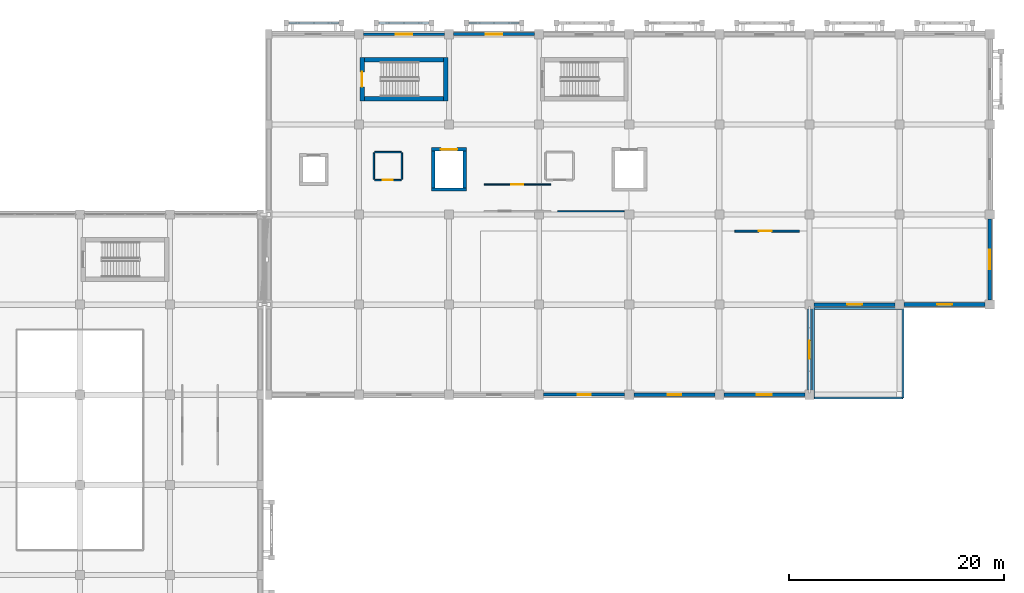
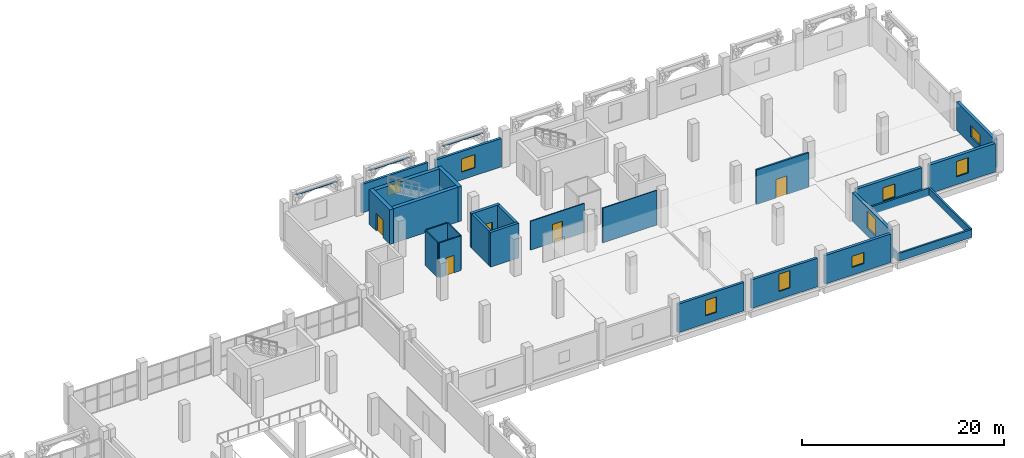
# One storey, part 118 of 137: 31 walls, 9 windows, 5 doors, 14 openings.
"""IFC4 building model written with IfcOpenShell, lengths in metres."""

import ifcopenshell
import ifcopenshell.guid

model = None  # the IFC model being written
_history = None  # IfcOwnerHistory: only IFC2X3 demands one
_inside = {}  # id of a spatial element -> (the spatial element, [elements in it])
_under = {}  # id of a project, library or spatial element -> (it, [spatial elements below it])
_declared = {}  # id of a project -> (the project, [libraries it declares])
_typed = {}  # id of a type object -> (the type object, [elements of that type])
_made_of = {}  # id of a material, layer set ... -> (it, [elements and type objects made of it])


def new_model(schema):
    """Start an empty IFC model of exactly this schema.

    Asked for "IFC4X3", IfcOpenShell would pick the latest addendum, in which some entities
    have other attributes; the version numbers below select the first issue.
    IFC2X3 requires an IfcOwnerHistory on every rooted entity: one is made here for all.
    """
    global model, _history
    if schema == "IFC4X3":
        model = ifcopenshell.file(schema_version=(4, 3, 0, 0))
    else:
        model = ifcopenshell.file(schema=schema)
    _inside.clear()
    _under.clear()
    _declared.clear()
    _typed.clear()
    _made_of.clear()
    _history = None
    if model.schema == "IFC2X3":
        org = make("IfcOrganization", Name="unknown")
        user = make(
            "IfcPersonAndOrganization",
            ThePerson=make("IfcPerson", FamilyName="unknown"),
            TheOrganization=org,
        )
        app = make(
            "IfcApplication",
            ApplicationDeveloper=org,
            Version="unknown",
            ApplicationFullName="unknown",
            ApplicationIdentifier="unknown",
        )
        _history = make(
            "IfcOwnerHistory",
            OwningUser=user,
            OwningApplication=app,
            ChangeAction="ADDED",
            CreationDate=0,
        )
    return model


def make(cls, **values):
    """One entity of the class cls with the attributes given. An attribute that is None is left unset."""
    return model.create_entity(
        cls, **{name: value for name, value in values.items() if value is not None}
    )


def rooted(cls, **values):
    """An entity with a GlobalId (a new one), such as an element, a storey or a relation."""
    return make(cls, GlobalId=ifcopenshell.guid.new(), OwnerHistory=_history, **values)


def si_unit(unit_type, name, prefix=None):
    """IfcSIUnit, for example si_unit("LENGTHUNIT", "METRE", prefix="MILLI")."""
    return make("IfcSIUnit", UnitType=unit_type, Prefix=prefix, Name=name)


def assignment(units):
    """IfcUnitAssignment: the units of a project."""
    return None if units is None else make("IfcUnitAssignment", Units=units)


def point(xyz):
    """IfcCartesianPoint."""
    return None if xyz is None else make("IfcCartesianPoint", Coordinates=xyz)


def direction(xyz):
    """IfcDirection."""
    return None if xyz is None else make("IfcDirection", DirectionRatios=xyz)


def frame(location, z_axis=None, x_axis=None):
    """IfcAxis2Placement3D, a coordinate frame: its origin and axes. An axis left out is left unset."""
    return make(
        "IfcAxis2Placement3D",
        Location=point(location),
        Axis=direction(z_axis),
        RefDirection=direction(x_axis),
    )


def frame_2d(location, x_axis=None):
    """IfcAxis2Placement2D, a coordinate frame in the plane: its origin and x axis."""
    return make(
        "IfcAxis2Placement2D", Location=point(location), RefDirection=direction(x_axis)
    )


def origin():
    """The frame at (0, 0, 0) with its axes left unset."""
    return frame((0.0, 0.0, 0.0))


def place(relative_to, where):
    """IfcLocalPlacement: puts the frame where relative to a parent placement (None: the world)."""
    return make(
        "IfcLocalPlacement", PlacementRelTo=relative_to, RelativePlacement=where
    )


def context(
    kind, dimensions, precision=None, world=None, true_north=None, identifier=None
):
    """IfcGeometricRepresentationContext, for example the 3D "Model" context."""
    return make(
        "IfcGeometricRepresentationContext",
        ContextIdentifier=identifier,
        ContextType=kind,
        CoordinateSpaceDimension=dimensions,
        Precision=precision,
        WorldCoordinateSystem=world,
        TrueNorth=true_north,
    )


def subcontext(parent, identifier, kind, view, scale=None):
    """IfcGeometricRepresentationSubContext, for example "Body" below "Model"."""
    return make(
        "IfcGeometricRepresentationSubContext",
        ContextIdentifier=identifier,
        ContextType=kind,
        ParentContext=parent,
        TargetScale=scale,
        TargetView=view,
    )


def project(units=None, contexts=None):
    """IfcProject with its units and contexts."""
    return rooted(
        "IfcProject",
        Name="project",
        RepresentationContexts=contexts,
        UnitsInContext=assignment(units),
    )


def spatial(cls, under=None, at=None, **own):
    """A site, building, storey or space (cls), placed at a placement, below another one or the project."""
    s = rooted(cls, ObjectPlacement=at, **own)
    if under is not None:
        _under.setdefault(under.id(), (under, []))[1].append(s)
    return s


def profile(cls, at=None, kind="AREA", **sizes):
    """A parametric profile (cls). Its sizes go by their IFC names, for example OverallWidth=200.0."""
    return make(cls, ProfileType=kind, Position=at, **sizes)


def rectangle(**sizes):
    """IfcRectangleProfileDef."""
    return profile("IfcRectangleProfileDef", **sizes)


def extrude(swept, where, along, depth):
    """IfcExtrudedAreaSolid: the profile swept, set in the frame where, extruded along a direction by depth."""
    return make(
        "IfcExtrudedAreaSolid",
        SweptArea=swept,
        Position=where,
        ExtrudedDirection=direction(along),
        Depth=depth,
    )


def shape(context_of_items, identifier, shape_type, items):
    """IfcShapeRepresentation: the items that make up one representation, for example the "Body"."""
    return make(
        "IfcShapeRepresentation",
        ContextOfItems=context_of_items,
        RepresentationIdentifier=identifier,
        RepresentationType=shape_type,
        Items=items,
    )


def material(Name=None, Category=None):
    """IfcMaterial."""
    return make("IfcMaterial", Name=Name, Category=Category)


def layer(
    of_material, thickness, ventilated=None, Name=None, Category=None, Priority=None
):
    """IfcMaterialLayer: one layer of a wall or slab, of a material (None: an air gap)."""
    return make(
        "IfcMaterialLayer",
        Material=of_material,
        LayerThickness=thickness,
        IsVentilated=ventilated,
        Name=Name,
        Category=Category,
        Priority=Priority,
    )


def layer_set(layers, Name=None):
    """IfcMaterialLayerSet."""
    return make("IfcMaterialLayerSet", MaterialLayers=layers, LayerSetName=Name)


def made_of(thing, what):
    """Note that an element or type object is made of a material, layer set ...; save() writes the relation."""
    if what is not None:
        _made_of.setdefault(what.id(), (what, []))[1].append(thing)
    return thing


def type_object(cls, material=None, **own):
    """A type object (cls), such as IfcWallType, which elements share."""
    return made_of(rooted(cls, **own), material)


def element(
    cls,
    number,
    at=None,
    inside=None,
    cuts=None,
    type_object=None,
    material=None,
    context=None,
    identifier="Body",
    shape_type=None,
    held_by="IfcProductDefinitionShape",
    body=None,
    shapes=None,
    **own,
):
    """One element of the class cls, such as IfcWall. Its Tag is "e" and its number.

    at: its placement. inside: the storey or other place that contains it. cuts: it is an
    opening in that element (IfcRelVoidsElement). A single representation is given by context,
    identifier, shape_type and body (its items); several are given by shapes. held_by: the class
    of the entity that holds the representations. save() writes the other relations.
    """
    e = rooted(cls, Tag="e%d" % number, ObjectPlacement=at, **own)
    if body is not None:
        shapes = [shape(context, identifier, shape_type, body)]
    if shapes is not None:
        e.Representation = make(held_by, Representations=shapes)
    if inside is not None:
        _inside.setdefault(inside.id(), (inside, []))[1].append(e)
    if cuts is not None:
        rooted(
            "IfcRelVoidsElement", RelatingBuildingElement=cuts, RelatedOpeningElement=e
        )
    if type_object is not None:
        _typed.setdefault(type_object.id(), (type_object, []))[1].append(e)
    return made_of(e, material)


def fill(opening, filler):
    """IfcRelFillsElement: the door or window that sits in an opening."""
    return rooted(
        "IfcRelFillsElement",
        RelatingOpeningElement=opening,
        RelatedBuildingElement=filler,
    )


def aggregate(whole, parts):
    """IfcRelAggregates: a whole, such as a stair, and the parts it consists of."""
    return rooted("IfcRelAggregates", RelatingObject=whole, RelatedObjects=parts)


def save(model, path):
    """Write the relations noted so far, then the file.

    IfcRelAggregates (storeys below a building ...), IfcRelContainedInSpatialStructure (elements
    in a storey), IfcRelDefinesByType, IfcRelAssociatesMaterial and IfcRelDeclares: one each for
    every whole, place, type object, material and project.
    """
    for whole, parts in _under.values():
        aggregate(whole, parts)
    for where, things in _inside.values():
        rooted(
            "IfcRelContainedInSpatialStructure",
            RelatedElements=things,
            RelatingStructure=where,
        )
    for kind, things in _typed.values():
        rooted("IfcRelDefinesByType", RelatedObjects=things, RelatingType=kind)
    for what, things in _made_of.values():
        rooted("IfcRelAssociatesMaterial", RelatedObjects=things, RelatingMaterial=what)
    for by, libraries in _declared.values():
        rooted("IfcRelDeclares", RelatingContext=by, RelatedDefinitions=libraries)
    model.write(path)


model = new_model("IFC4")

# Units and contexts
model_context = context("Model", 3, precision=1e-05, world=origin(), true_north=direction((0.0, 1.0)))
body_context = subcontext(model_context, "Body", "Model", "MODEL_VIEW")
ifc_project = project(units=[si_unit("LENGTHUNIT", "METRE"), si_unit("AREAUNIT", "SQUARE_METRE"), si_unit("VOLUMEUNIT", "CUBIC_METRE"), si_unit("PLANEANGLEUNIT", "RADIAN"), si_unit("MASSUNIT", "GRAM", prefix="KILO")], contexts=[model_context])

# Site, building, storey
site_placement = place(None, origin())
site = spatial("IfcSite", under=ifc_project, at=site_placement, CompositionType="ELEMENT")
building_placement = place(site_placement, origin())
building = spatial("IfcBuilding", under=site, at=building_placement, Name="Xazarin Passage Department Store", CompositionType="ELEMENT")
storey_placement = place(building_placement, frame((0.0, 0.0, 5.39990234375)))
storey = spatial("IfcBuildingStorey", under=building, at=storey_placement, Name="L01", CompositionType="ELEMENT", Elevation=5.39990234375)

# Wall, opening, door
ifc_material_1 = material(Name="Buff Baku clay brick", Category="masonry")
ifc_layer_1 = layer(ifc_material_1, 0.18505859375)
ifc_layer_set_1 = layer_set([ifc_layer_1], Name="Buff Baku clay brick")
wall_type_1 = type_object("IfcWallType", Name="ARC-W-CMP185", PredefinedType="PARTITIONING", material=ifc_layer_set_1)
wall_1_placement = place(storey_placement, frame((145.85009765625, 91.64990234375, 0.0), z_axis=(0.0, 0.0, 1.0), x_axis=(1.0, 0.0, 0.0)))
wall_1 = element("IfcWall", 1, at=wall_1_placement, inside=storey, type_object=wall_type_1, Name="L01 Electrical Room Front Wall 0138", PredefinedType="PARTITIONING", context=body_context, shape_type="SweptSolid", body=[
    extrude(rectangle(XDim=6.0, YDim=0.18505859375, at=frame_2d((3.0, 0.0))), origin(), (0.0, 0.0, 1.0), 4.2001953125),
])
opening_1_placement = place(wall_1_placement, frame((2.199951171875, 0.0, 0.0)))
opening_1 = element("IfcOpeningElement", 2, at=opening_1_placement, cuts=wall_1, Name="Opening FD9", PredefinedType="OPENING", context=body_context, shape_type="SweptSolid", body=[
    extrude(rectangle(XDim=1.25, YDim=2.25, at=frame_2d((0.625, 1.125))), frame((0.0, 0.1025390625, 0.0), z_axis=(0.0, -1.0, 0.0), x_axis=(1.0, 0.0, 0.0)), (0.0, 0.0, 1.0), 0.205078125),
])
ifc_material_2 = material(Name="Steel S355", Category="steel")
door_type_1 = type_object("IfcDoorType", Name="ARC-DR-PLT125", OperationType="NOTDEFINED", PredefinedType="DOOR", material=ifc_material_2)
door_1_placement = place(opening_1_placement, origin())
door_1 = element("IfcDoor", 3, at=door_1_placement, inside=storey, type_object=door_type_1, Name="DR-INT-L01-0138", OperationType="SINGLE_SWING_LEFT", OverallHeight=2.25, OverallWidth=1.25, PredefinedType="DOOR", context=body_context, shape_type="SweptSolid", body=[
    extrude(rectangle(XDim=1.25, YDim=2.25, at=frame_2d((0.625, 1.125))), frame((0.0, 0.02490234375, 0.0), z_axis=(0.0, -1.0, 0.0), x_axis=(1.0, 0.0, 0.0)), (0.0, 0.0, 1.0), 0.050048828125),
])
fill(opening_1, door_1)

# Wall, opening, window
ifc_material_3 = material(Name="Precast concrete C40/50", Category="concrete")
ifc_layer_2 = layer(ifc_material_3, 0.260009765625)
ifc_layer_set_2 = layer_set([ifc_layer_2], Name="Precast concrete C40/50")
wall_type_2 = type_object("IfcWallType", Name="ARC-W-EXT260", PredefinedType="SOLIDWALL", material=ifc_layer_set_2)
wall_2_placement = place(storey_placement, frame((111.22509765625, 110.0, 0.0), z_axis=(0.0, 0.0, 1.0), x_axis=(1.0, 0.0, 0.0)))
wall_2 = element("IfcWall", 4, at=wall_2_placement, inside=storey, type_object=wall_type_2, Name="L01 V4 Exterior Wall 280", PredefinedType="SOLIDWALL", context=body_context, shape_type="SweptSolid", body=[
    extrude(rectangle(XDim=7.5498046875, YDim=0.260009765625, at=frame_2d((3.77490234375, 0.0))), origin(), (0.0, 0.0, 1.0), 3.4501953125),
])
opening_2_placement = place(wall_2_placement, frame((3.0, 0.0, 0.949951171875)))
opening_2 = element("IfcOpeningElement", 5, at=opening_2_placement, cuts=wall_2, Name="Opening W17", PredefinedType="OPENING", context=body_context, shape_type="SweptSolid", body=[
    extrude(rectangle(XDim=1.550048828125, YDim=1.35009765625, at=frame_2d((0.77490234375, 0.675048828125))), frame((0.0, 0.139892578125, 0.0), z_axis=(0.0, -1.0, 0.0), x_axis=(1.0, 0.0, 0.0)), (0.0, 0.0, 1.0), 0.280029296875),
])
ifc_material_4 = material(Name="Low-E laminated safety glass", Category="glass")
window_type_1 = type_object("IfcWindowType", Name="ARC-WIN-W17", PartitioningType="SINGLE_PANEL", PredefinedType="WINDOW", material=ifc_material_4)
window_1_placement = place(opening_2_placement, origin())
window_1 = element("IfcWindow", 6, at=window_1_placement, inside=storey, type_object=window_type_1, Name="L01 V4 Facade Window 0065", OverallHeight=1.35009765625, OverallWidth=1.550048828125, PartitioningType="SINGLE_PANEL", PredefinedType="WINDOW", context=body_context, shape_type="SweptSolid", body=[
    extrude(rectangle(XDim=1.550048828125, YDim=1.35009765625, at=frame_2d((0.77490234375, 0.675048828125))), frame((0.0, 0.030029296875, 0.0), z_axis=(0.0, -1.0, 0.0), x_axis=(1.0, 0.0, 0.0)), (0.0, 0.0, 1.0), 0.06005859375),
])
fill(opening_2, window_1)

ifc_layer_3 = layer(ifc_material_3, 0.280029296875)
ifc_layer_set_3 = layer_set([ifc_layer_3], Name="Precast concrete C40/50")
wall_type_3 = type_object("IfcWallType", Name="ARC-W-EXT280", PredefinedType="SOLIDWALL", material=ifc_layer_set_3)
wall_3_placement = place(storey_placement, frame((128.02490234375, 76.39990234375, 0.0), z_axis=(0.0, 0.0, 1.0), x_axis=(1.0, 0.0, 0.0)))
wall_3 = element("IfcWall", 7, at=wall_3_placement, inside=storey, type_object=wall_type_3, Name="L01 V4 Exterior Wall 274", PredefinedType="SOLIDWALL", context=body_context, shape_type="SweptSolid", body=[
    extrude(rectangle(XDim=7.550048828125, YDim=0.280029296875, at=frame_2d((3.77490234375, 0.0))), origin(), (0.0, 0.0, 1.0), 3.4501953125),
])
opening_3_placement = place(wall_3_placement, frame((3.14990234375, 0.0, 0.949951171875)))
opening_3 = element("IfcOpeningElement", 8, at=opening_3_placement, cuts=wall_3, Name="Opening W11", PredefinedType="OPENING", context=body_context, shape_type="SweptSolid", body=[
    extrude(rectangle(XDim=1.25, YDim=1.85009765625, at=frame_2d((0.625, 0.925048828125))), frame((0.0, 0.14990234375, 0.0), z_axis=(0.0, -1.0, 0.0), x_axis=(1.0, 0.0, 0.0)), (0.0, 0.0, 1.0), 0.300048828125),
])
window_type_2 = type_object("IfcWindowType", Name="ARC-WIN-W11", PartitioningType="SINGLE_PANEL", PredefinedType="WINDOW", material=ifc_material_4)
window_2_placement = place(opening_3_placement, origin())
window_2 = element("IfcWindow", 9, at=window_2_placement, inside=storey, type_object=window_type_2, Name="L01 V4 Facade Window 0059", OverallHeight=1.85009765625, OverallWidth=1.25, PartitioningType="SINGLE_PANEL", PredefinedType="WINDOW", context=body_context, shape_type="SweptSolid", body=[
    extrude(rectangle(XDim=1.25, YDim=1.85009765625, at=frame_2d((0.625, 0.925048828125))), frame((0.0, 0.030029296875, 0.0), z_axis=(0.0, -1.0, 0.0), x_axis=(1.0, 0.0, 0.0)), (0.0, 0.0, 1.0), 0.06005859375),
])
fill(opening_3, window_2)

wall_4_placement = place(storey_placement, frame((119.625, 110.0, 0.0), z_axis=(0.0, 0.0, 1.0), x_axis=(1.0, 0.0, 0.0)))
wall_4 = element("IfcWall", 10, at=wall_4_placement, inside=storey, type_object=wall_type_3, Name="L01 V4 Exterior Wall 281", PredefinedType="SOLIDWALL", context=body_context, shape_type="SweptSolid", body=[
    extrude(rectangle(XDim=7.550048828125, YDim=0.280029296875, at=frame_2d((3.77490234375, 0.0))), origin(), (0.0, 0.0, 1.0), 3.4501953125),
])
opening_4_placement = place(wall_4_placement, frame((3.0, 0.0, 0.949951171875)))
opening_4 = element("IfcOpeningElement", 11, at=opening_4_placement, cuts=wall_4, Name="Opening W18", PredefinedType="OPENING", context=body_context, shape_type="SweptSolid", body=[
    extrude(rectangle(XDim=1.550048828125, YDim=1.60009765625, at=frame_2d((0.77490234375, 0.800048828125))), frame((0.0, 0.14990234375, 0.0), z_axis=(0.0, -1.0, 0.0), x_axis=(1.0, 0.0, 0.0)), (0.0, 0.0, 1.0), 0.300048828125),
])
window_type_3 = type_object("IfcWindowType", Name="ARC-WIN-W18", PartitioningType="SINGLE_PANEL", PredefinedType="WINDOW", material=ifc_material_4)
window_3_placement = place(opening_4_placement, origin())
window_3 = element("IfcWindow", 12, at=window_3_placement, inside=storey, type_object=window_type_3, Name="L01 V4 Facade Window 0066", OverallHeight=1.60009765625, OverallWidth=1.550048828125, PartitioningType="SINGLE_PANEL", PredefinedType="WINDOW", context=body_context, shape_type="SweptSolid", body=[
    extrude(rectangle(XDim=1.550048828125, YDim=1.60009765625, at=frame_2d((0.77490234375, 0.800048828125))), frame((0.0, 0.030029296875, 0.0), z_axis=(0.0, -1.0, 0.0), x_axis=(1.0, 0.0, 0.0)), (0.0, 0.0, 1.0), 0.06005859375),
])
fill(opening_4, window_3)

ifc_layer_4 = layer(ifc_material_3, 0.300048828125)
ifc_layer_set_4 = layer_set([ifc_layer_4], Name="Precast concrete C40/50")
wall_type_4 = type_object("IfcWallType", Name="ARC-W-EXT300", PredefinedType="SOLIDWALL", material=ifc_layer_set_4)
wall_5_placement = place(storey_placement, frame((136.425048828125, 76.39990234375, 0.0), z_axis=(0.0, 0.0, 1.0), x_axis=(1.0, 0.0, 0.0)))
wall_5 = element("IfcWall", 13, at=wall_5_placement, inside=storey, type_object=wall_type_4, Name="L01 V4 Exterior Wall 275", PredefinedType="SOLIDWALL", context=body_context, shape_type="SweptSolid", body=[
    extrude(rectangle(XDim=7.550048828125, YDim=0.300048828125, at=frame_2d((3.77490234375, 0.0))), origin(), (0.0, 0.0, 1.0), 3.4501953125),
])
opening_5_placement = place(wall_5_placement, frame((3.14990234375, 0.0, 0.949951171875)))
opening_5 = element("IfcOpeningElement", 14, at=opening_5_placement, cuts=wall_5, Name="Opening W12", PredefinedType="OPENING", context=body_context, shape_type="SweptSolid", body=[
    extrude(rectangle(XDim=1.25, YDim=2.10009765625, at=frame_2d((0.625, 1.050048828125))), frame((0.0, 0.159912109375, 0.0), z_axis=(0.0, -1.0, 0.0), x_axis=(1.0, 0.0, 0.0)), (0.0, 0.0, 1.0), 0.320068359375),
])
window_type_4 = type_object("IfcWindowType", Name="ARC-WIN-W12", PartitioningType="SINGLE_PANEL", PredefinedType="WINDOW", material=ifc_material_4)
window_4_placement = place(opening_5_placement, origin())
window_4 = element("IfcWindow", 15, at=window_4_placement, inside=storey, type_object=window_type_4, Name="L01 V4 Facade Window 0060", OverallHeight=2.10009765625, OverallWidth=1.25, PartitioningType="SINGLE_PANEL", PredefinedType="WINDOW", context=body_context, shape_type="SweptSolid", body=[
    extrude(rectangle(XDim=1.25, YDim=2.10009765625, at=frame_2d((0.625, 1.050048828125))), frame((0.0, 0.030029296875, 0.0), z_axis=(0.0, -1.0, 0.0), x_axis=(1.0, 0.0, 0.0)), (0.0, 0.0, 1.0), 0.06005859375),
])
fill(opening_5, window_4)

ifc_layer_5 = layer(ifc_material_1, 0.320068359375)
ifc_layer_set_5 = layer_set([ifc_layer_5], Name="Buff Baku clay brick")
wall_type_5 = type_object("IfcWallType", Name="ARC-W-EXT320", PredefinedType="SOLIDWALL", material=ifc_layer_set_5)
wall_6_placement = place(storey_placement, frame((144.824951171875, 76.39990234375, 0.0), z_axis=(0.0, 0.0, 1.0), x_axis=(1.0, 0.0, 0.0)))
wall_6 = element("IfcWall", 16, at=wall_6_placement, inside=storey, type_object=wall_type_5, Name="L01 V4 Exterior Wall 276", PredefinedType="SOLIDWALL", context=body_context, shape_type="SweptSolid", body=[
    extrude(rectangle(XDim=7.550048828125, YDim=0.320068359375, at=frame_2d((3.77490234375, 0.0))), origin(), (0.0, 0.0, 1.0), 3.4501953125),
])
opening_6_placement = place(wall_6_placement, frame((3.074951171875, 0.0, 0.949951171875)))
opening_6 = element("IfcOpeningElement", 17, at=opening_6_placement, cuts=wall_6, Name="Opening W13", PredefinedType="OPENING", context=body_context, shape_type="SweptSolid", body=[
    extrude(rectangle(XDim=1.39990234375, YDim=1.35009765625, at=frame_2d((0.699951171875, 0.675048828125))), frame((0.0, 0.169921875, 0.0), z_axis=(0.0, -1.0, 0.0), x_axis=(1.0, 0.0, 0.0)), (0.0, 0.0, 1.0), 0.340087890625),
])
window_type_5 = type_object("IfcWindowType", Name="ARC-WIN-W13", PartitioningType="SINGLE_PANEL", PredefinedType="WINDOW", material=ifc_material_4)
window_5_placement = place(opening_6_placement, origin())
window_5 = element("IfcWindow", 18, at=window_5_placement, inside=storey, type_object=window_type_5, Name="L01 V4 Facade Window 0061", OverallHeight=1.35009765625, OverallWidth=1.39990234375, PartitioningType="SINGLE_PANEL", PredefinedType="WINDOW", context=body_context, shape_type="SweptSolid", body=[
    extrude(rectangle(XDim=1.39990234375, YDim=1.35009765625, at=frame_2d((0.699951171875, 0.675048828125))), frame((0.0, 0.030029296875, 0.0), z_axis=(0.0, -1.0, 0.0), x_axis=(1.0, 0.0, 0.0)), (0.0, 0.0, 1.0), 0.06005859375),
])
fill(opening_6, window_5)

ifc_material_5 = material(Name="Absheron limestone cladding", Category="masonry")
ifc_layer_6 = layer(ifc_material_5, 0.340087890625)
ifc_layer_set_6 = layer_set([ifc_layer_6], Name="Absheron limestone cladding")
wall_type_6 = type_object("IfcWallType", Name="ARC-W-EXT340", PredefinedType="SOLIDWALL", material=ifc_layer_set_6)
wall_7_placement = place(storey_placement, frame((153.22509765625, 84.800048828125, 0.0), z_axis=(0.0, 0.0, 1.0), x_axis=(1.0, 0.0, 0.0)))
wall_7 = element("IfcWall", 19, at=wall_7_placement, inside=storey, type_object=wall_type_6, Name="L01 V4 Exterior Wall 277", PredefinedType="SOLIDWALL", context=body_context, shape_type="SweptSolid", body=[
    extrude(rectangle(XDim=7.5498046875, YDim=0.340087890625, at=frame_2d((3.77490234375, 0.0))), origin(), (0.0, 0.0, 1.0), 3.4501953125),
])
opening_7_placement = place(wall_7_placement, frame((3.074951171875, 0.0, 0.949951171875)))
opening_7 = element("IfcOpeningElement", 20, at=opening_7_placement, cuts=wall_7, Name="Opening W14", PredefinedType="OPENING", context=body_context, shape_type="SweptSolid", body=[
    extrude(rectangle(XDim=1.39990234375, YDim=1.60009765625, at=frame_2d((0.699951171875, 0.800048828125))), frame((0.0, 0.179931640625, 0.0), z_axis=(0.0, -1.0, 0.0), x_axis=(1.0, 0.0, 0.0)), (0.0, 0.0, 1.0), 0.360107421875),
])
window_type_6 = type_object("IfcWindowType", Name="ARC-WIN-W14", PartitioningType="SINGLE_PANEL", PredefinedType="WINDOW", material=ifc_material_4)
window_6_placement = place(opening_7_placement, origin())
window_6 = element("IfcWindow", 21, at=window_6_placement, inside=storey, type_object=window_type_6, Name="L01 V4 Facade Window 0062", OverallHeight=1.60009765625, OverallWidth=1.39990234375, PartitioningType="SINGLE_PANEL", PredefinedType="WINDOW", context=body_context, shape_type="SweptSolid", body=[
    extrude(rectangle(XDim=1.39990234375, YDim=1.60009765625, at=frame_2d((0.699951171875, 0.800048828125))), frame((0.0, 0.030029296875, 0.0), z_axis=(0.0, -1.0, 0.0), x_axis=(1.0, 0.0, 0.0)), (0.0, 0.0, 1.0), 0.06005859375),
])
fill(opening_7, window_6)

wall_8_placement = place(storey_placement, frame((152.800048828125, 76.824951171875, 0.0), z_axis=(0.0, 0.0, 1.0), x_axis=(0.0, 1.0, 0.0)))
wall_8 = element("IfcWall", 22, at=wall_8_placement, inside=storey, type_object=wall_type_6, Name="L01 V4 Exterior Wall 291", PredefinedType="SOLIDWALL", context=body_context, shape_type="SweptSolid", body=[
    extrude(rectangle(XDim=7.550048828125, YDim=0.340087890625, at=frame_2d((3.77490234375, 0.0))), origin(), (0.0, 0.0, 1.0), 3.4501953125),
])
opening_8_placement = place(wall_8_placement, frame((2.925048828125, 0.0, 0.949951171875)))
opening_8 = element("IfcOpeningElement", 23, at=opening_8_placement, cuts=wall_8, Name="Opening W24", PredefinedType="OPENING", context=body_context, shape_type="SweptSolid", body=[
    extrude(rectangle(XDim=1.699951171875, YDim=2.10009765625, at=frame_2d((0.85009765625, 1.050048828125))), frame((0.0, 0.179931640625, 0.0), z_axis=(0.0, -1.0, 0.0), x_axis=(1.0, 0.0, 0.0)), (0.0, 0.0, 1.0), 0.360107421875),
])
window_type_7 = type_object("IfcWindowType", Name="ARC-WIN-W24", PartitioningType="DOUBLE_PANEL_VERTICAL", PredefinedType="WINDOW", material=ifc_material_4)
window_7_placement = place(opening_8_placement, origin())
window_7 = element("IfcWindow", 24, at=window_7_placement, inside=storey, type_object=window_type_7, Name="L01 V4 Facade Window 0072", OverallHeight=2.10009765625, OverallWidth=1.699951171875, PartitioningType="DOUBLE_PANEL_VERTICAL", PredefinedType="WINDOW", context=body_context, shape_type="SweptSolid", body=[
    extrude(rectangle(XDim=1.699951171875, YDim=2.10009765625, at=frame_2d((0.85009765625, 1.050048828125))), frame((0.0, 0.030029296875, 0.0), z_axis=(0.0, -1.0, 0.0), x_axis=(1.0, 0.0, 0.0)), (0.0, 0.0, 1.0), 0.06005859375),
])
fill(opening_8, window_7)

ifc_layer_7 = layer(ifc_material_5, 0.360107421875)
ifc_layer_set_7 = layer_set([ifc_layer_7], Name="Absheron limestone cladding")
wall_type_7 = type_object("IfcWallType", Name="ARC-W-EXT360", PredefinedType="SOLIDWALL", material=ifc_layer_set_7)
wall_9_placement = place(storey_placement, frame((161.625, 84.800048828125, 0.0), z_axis=(0.0, 0.0, 1.0), x_axis=(1.0, 0.0, 0.0)))
wall_9 = element("IfcWall", 25, at=wall_9_placement, inside=storey, type_object=wall_type_7, Name="L01 V4 Exterior Wall 278", PredefinedType="SOLIDWALL", context=body_context, shape_type="SweptSolid", body=[
    extrude(rectangle(XDim=7.550048828125, YDim=0.360107421875, at=frame_2d((3.77490234375, 0.0))), origin(), (0.0, 0.0, 1.0), 3.4501953125),
])
opening_9_placement = place(wall_9_placement, frame((3.074951171875, 0.0, 0.949951171875)))
opening_9 = element("IfcOpeningElement", 26, at=opening_9_placement, cuts=wall_9, Name="Opening W15", PredefinedType="OPENING", context=body_context, shape_type="SweptSolid", body=[
    extrude(rectangle(XDim=1.39990234375, YDim=1.85009765625, at=frame_2d((0.699951171875, 0.925048828125))), frame((0.0, 0.18994140625, 0.0), z_axis=(0.0, -1.0, 0.0), x_axis=(1.0, 0.0, 0.0)), (0.0, 0.0, 1.0), 0.380126953125),
])
window_type_8 = type_object("IfcWindowType", Name="ARC-WIN-W15", PartitioningType="SINGLE_PANEL", PredefinedType="WINDOW", material=ifc_material_4)
window_8_placement = place(opening_9_placement, origin())
window_8 = element("IfcWindow", 27, at=window_8_placement, inside=storey, type_object=window_type_8, Name="L01 V4 Facade Window 0063", OverallHeight=1.85009765625, OverallWidth=1.39990234375, PartitioningType="SINGLE_PANEL", PredefinedType="WINDOW", context=body_context, shape_type="SweptSolid", body=[
    extrude(rectangle(XDim=1.39990234375, YDim=1.85009765625, at=frame_2d((0.699951171875, 0.925048828125))), frame((0.0, 0.030029296875, 0.0), z_axis=(0.0, -1.0, 0.0), x_axis=(1.0, 0.0, 0.0)), (0.0, 0.0, 1.0), 0.06005859375),
])
fill(opening_9, window_8)

wall_10_placement = place(storey_placement, frame((169.60009765625, 85.22509765625, 0.0), z_axis=(0.0, 0.0, 1.0), x_axis=(0.0, 1.0, 0.0)))
wall_10 = element("IfcWall", 28, at=wall_10_placement, inside=storey, type_object=wall_type_7, Name="L01 V4 Exterior Wall 292", PredefinedType="SOLIDWALL", context=body_context, shape_type="SweptSolid", body=[
    extrude(rectangle(XDim=7.5498046875, YDim=0.360107421875, at=frame_2d((3.77490234375, 0.0))), origin(), (0.0, 0.0, 1.0), 3.4501953125),
])
opening_10_placement = place(wall_10_placement, frame((2.85009765625, 0.0, 0.949951171875)))
opening_10 = element("IfcOpeningElement", 29, at=opening_10_placement, cuts=wall_10, Name="Opening W25", PredefinedType="OPENING", context=body_context, shape_type="SweptSolid", body=[
    extrude(rectangle(XDim=1.85009765625, YDim=1.35009765625, at=frame_2d((0.925048828125, 0.675048828125))), frame((0.0, 0.18994140625, 0.0), z_axis=(0.0, -1.0, 0.0), x_axis=(1.0, 0.0, 0.0)), (0.0, 0.0, 1.0), 0.380126953125),
])
window_type_9 = type_object("IfcWindowType", Name="ARC-WIN-W25", PartitioningType="DOUBLE_PANEL_VERTICAL", PredefinedType="WINDOW", material=ifc_material_4)
window_9_placement = place(opening_10_placement, origin())
window_9 = element("IfcWindow", 30, at=window_9_placement, inside=storey, type_object=window_type_9, Name="L01 V4 Facade Window 0073", OverallHeight=1.35009765625, OverallWidth=1.85009765625, PartitioningType="DOUBLE_PANEL_VERTICAL", PredefinedType="WINDOW", context=body_context, shape_type="SweptSolid", body=[
    extrude(rectangle(XDim=1.85009765625, YDim=1.35009765625, at=frame_2d((0.925048828125, 0.675048828125))), frame((0.0, 0.030029296875, 0.0), z_axis=(0.0, -1.0, 0.0), x_axis=(1.0, 0.0, 0.0)), (0.0, 0.0, 1.0), 0.06005859375),
])
fill(opening_10, window_9)

# Walls
ifc_layer_8 = layer(ifc_material_3, 0.2099609375)
ifc_layer_set_8 = layer_set([ifc_layer_8], Name="Precast concrete C40/50")
wall_type_8 = type_object("IfcWallType", Name="ARC-W-PAR210", PredefinedType="PARAPET", material=ifc_layer_set_8)
wall_11_placement = place(storey_placement, frame((104.27001953125, 111.050048828125, 3.880126953125), z_axis=(0.0, 0.0, 1.0), x_axis=(1.0, 0.0, 0.0)))
element("IfcWall", 31, at=wall_11_placement, inside=storey, type_object=wall_type_8, Name="L01 V4 Pierced-Arch Spandrel Lintel 0146", PredefinedType="PARAPET", context=body_context, shape_type="SweptSolid", body=[
    extrude(rectangle(XDim=4.659912109375, YDim=0.2099609375, at=frame_2d((2.330078125, 0.0))), origin(), (0.0, 0.0, 1.0), 0.119873046875),
])
wall_12_placement = place(storey_placement, frame((112.669921875, 111.050048828125, 3.880126953125), z_axis=(0.0, 0.0, 1.0), x_axis=(1.0, 0.0, 0.0)))
element("IfcWall", 32, at=wall_12_placement, inside=storey, type_object=wall_type_8, Name="L01 V4 Pierced-Arch Spandrel Lintel 0150", PredefinedType="PARAPET", context=body_context, shape_type="SweptSolid", body=[
    extrude(rectangle(XDim=4.66015625, YDim=0.2099609375, at=frame_2d((2.330078125, 0.0))), origin(), (0.0, 0.0, 1.0), 0.119873046875),
])
wall_13_placement = place(storey_placement, frame((121.070068359375, 111.050048828125, 3.880126953125), z_axis=(0.0, 0.0, 1.0), x_axis=(1.0, 0.0, 0.0)))
element("IfcWall", 33, at=wall_13_placement, inside=storey, type_object=wall_type_8, Name="L01 V4 Pierced-Arch Spandrel Lintel 0154", PredefinedType="PARAPET", context=body_context, shape_type="SweptSolid", body=[
    extrude(rectangle(XDim=4.659912109375, YDim=0.2099609375, at=frame_2d((2.330078125, 0.0))), origin(), (0.0, 0.0, 1.0), 0.119873046875),
])
wall_14_placement = place(storey_placement, frame((161.5, 84.449951171875, 0.0), z_axis=(0.0, 0.0, 1.0), x_axis=(-1.0, 0.0, 0.0)))
element("IfcWall", 34, at=wall_14_placement, inside=storey, type_object=wall_type_8, Name="L01 Roof Parapet 035", PredefinedType="PARAPET", context=body_context, shape_type="SweptSolid", body=[
    extrude(rectangle(XDim=8.35009765625, YDim=0.2099609375, at=frame_2d((4.175048828125, 0.0))), origin(), (0.0, 0.0, 1.0), 0.9501953125),
])
wall_15_placement = place(storey_placement, frame((153.14990234375, 84.449951171875, 0.0), z_axis=(0.0, 0.0, 1.0), x_axis=(0.0, -1.0, 0.0)))
element("IfcWall", 35, at=wall_15_placement, inside=storey, type_object=wall_type_8, Name="L01 Roof Parapet 036", PredefinedType="PARAPET", context=body_context, shape_type="SweptSolid", body=[
    extrude(rectangle(XDim=8.349853515625, YDim=0.2099609375, at=frame_2d((4.1748046875, 0.0))), origin(), (0.0, 0.0, 1.0), 0.9501953125),
])
wall_16_placement = place(storey_placement, frame((153.14990234375, 76.10009765625, 0.0), z_axis=(0.0, 0.0, 1.0), x_axis=(1.0, 0.0, 0.0)))
element("IfcWall", 36, at=wall_16_placement, inside=storey, type_object=wall_type_8, Name="L01 Roof Parapet 037", PredefinedType="PARAPET", context=body_context, shape_type="SweptSolid", body=[
    extrude(rectangle(XDim=8.35009765625, YDim=0.2099609375, at=frame_2d((4.175048828125, 0.0))), origin(), (0.0, 0.0, 1.0), 0.9501953125),
])
wall_17_placement = place(storey_placement, frame((161.5, 76.10009765625, 0.0), z_axis=(0.0, 0.0, 1.0), x_axis=(0.0, 1.0, 0.0)))
element("IfcWall", 37, at=wall_17_placement, inside=storey, type_object=wall_type_8, Name="L01 Roof Parapet 038", PredefinedType="PARAPET", context=body_context, shape_type="SweptSolid", body=[
    extrude(rectangle(XDim=8.349853515625, YDim=0.2099609375, at=frame_2d((4.1748046875, 0.0))), origin(), (0.0, 0.0, 1.0), 0.9501953125),
])
ifc_material_6 = material(Name="Gypsum board acoustic partition")
ifc_layer_9 = layer(ifc_material_6, 0.110107421875)
ifc_layer_set_9 = layer_set([ifc_layer_9], Name="Gypsum board acoustic partition")
wall_type_9 = type_object("IfcWallType", Name="ARC-W-PRT110", PredefinedType="PARTITIONING", material=ifc_layer_set_9)
wall_18_placement = place(storey_placement, frame((129.320068359375, 93.5, 0.0), z_axis=(0.0, 0.0, 1.0), x_axis=(1.0, 0.0, 0.0)))
element("IfcWall", 38, at=wall_18_placement, inside=storey, type_object=wall_type_9, Name="L01 Packaging and Dispatch Room Front Wall 0137", PredefinedType="PARTITIONING", context=body_context, shape_type="SweptSolid", body=[
    extrude(rectangle(XDim=6.2099609375, YDim=0.110107421875, at=frame_2d((3.10498046875, 0.0))), origin(), (0.0, 0.0, 1.0), 4.2001953125),
])

# Wall, opening, door
ifc_layer_10 = layer(ifc_material_6, 0.125)
ifc_layer_set_10 = layer_set([ifc_layer_10], Name="Gypsum board acoustic partition")
wall_type_10 = type_object("IfcWallType", Name="ARC-W-PRT125", PredefinedType="PARTITIONING", material=ifc_layer_set_10)
wall_19_placement = place(storey_placement, frame((122.469970703125, 96.0, 0.0), z_axis=(0.0, 0.0, 1.0), x_axis=(1.0, 0.0, 0.0)))
wall_19 = element("IfcWall", 39, at=wall_19_placement, inside=storey, type_object=wall_type_10, Name="L01 Packaging and Dispatch Room Front Wall 0135", PredefinedType="PARTITIONING", context=body_context, shape_type="SweptSolid", body=[
    extrude(rectangle(XDim=6.2099609375, YDim=0.125, at=frame_2d((3.10498046875, 0.0))), origin(), (0.0, 0.0, 1.0), 3.5),
])
opening_11_placement = place(wall_19_placement, frame((2.544921875, 0.0, 0.0)))
opening_11 = element("IfcOpeningElement", 40, at=opening_11_placement, cuts=wall_19, Name="Opening ID20", PredefinedType="OPENING", context=body_context, shape_type="SweptSolid", body=[
    extrude(rectangle(XDim=1.1201171875, YDim=2.219970703125, at=frame_2d((0.56005859375, 1.10986328125))), frame((0.0, 0.072509765625, 0.0), z_axis=(0.0, -1.0, 0.0), x_axis=(1.0, 0.0, 0.0)), (0.0, 0.0, 1.0), 0.14501953125),
])
ifc_material_7 = material(Name="Timber acoustic leaf", Category="wood")
door_type_2 = type_object("IfcDoorType", Name="ARC-DR-ID20", OperationType="NOTDEFINED", PredefinedType="DOOR", material=ifc_material_7)
door_2_placement = place(opening_11_placement, origin())
door_2 = element("IfcDoor", 41, at=door_2_placement, inside=storey, type_object=door_type_2, Name="DR-INT-L01-0135", OperationType="SINGLE_SWING_LEFT", OverallHeight=2.219970703125, OverallWidth=1.1201171875, PredefinedType="DOOR", context=body_context, shape_type="SweptSolid", body=[
    extrude(rectangle(XDim=1.1201171875, YDim=2.219970703125, at=frame_2d((0.56005859375, 1.10986328125))), frame((0.0, 0.02490234375, 0.0), z_axis=(0.0, -1.0, 0.0), x_axis=(1.0, 0.0, 0.0)), (0.0, 0.0, 1.0), 0.050048828125),
])
fill(opening_11, door_2)

ifc_material_8 = material(Name="Moisture-resistant masonry partition", Category="masonry")
ifc_layer_11 = layer(ifc_material_8, 0.139892578125)
ifc_layer_set_11 = layer_set([ifc_layer_11], Name="Moisture-resistant masonry partition")
wall_type_11 = type_object("IfcWallType", Name="ARC-W-PRT140", PredefinedType="PARTITIONING", material=ifc_layer_set_11)
wall_20_placement = place(storey_placement, frame((112.27001953125, 96.39990234375, 0.0), z_axis=(0.0, 0.0, 1.0), x_axis=(1.0, 0.0, 0.0)))
wall_20 = element("IfcWall", 42, at=wall_20_placement, inside=storey, type_object=wall_type_11, Name="L01 Staff WC 0127", PredefinedType="PARTITIONING", context=body_context, shape_type="SweptSolid", body=[
    extrude(rectangle(XDim=2.4599609375, YDim=0.139892578125, at=frame_2d((1.22998046875, 0.0))), origin(), (0.0, 0.0, 1.0), 4.2001953125),
])
opening_12_placement = place(wall_20_placement, frame((0.77001953125, 0.0, 0.0)))
opening_12 = element("IfcOpeningElement", 43, at=opening_12_placement, cuts=wall_20, Name="Opening ID1", PredefinedType="OPENING", context=body_context, shape_type="SweptSolid", body=[
    extrude(rectangle(XDim=0.919921875, YDim=2.1201171875, at=frame_2d((0.4599609375, 1.06005859375))), frame((0.0, 0.079833984375, 0.0), z_axis=(0.0, -1.0, 0.0), x_axis=(1.0, 0.0, 0.0)), (0.0, 0.0, 1.0), 0.159912109375),
])
door_type_3 = type_object("IfcDoorType", Name="ARC-DR-WC092", OperationType="NOTDEFINED", PredefinedType="DOOR", material=ifc_material_7)
door_3_placement = place(opening_12_placement, origin())
door_3 = element("IfcDoor", 44, at=door_3_placement, inside=storey, type_object=door_type_3, Name="DR-INT-L01-0127", OperationType="SINGLE_SWING_LEFT", OverallHeight=2.1201171875, OverallWidth=0.919921875, PredefinedType="DOOR", context=body_context, shape_type="SweptSolid", body=[
    extrude(rectangle(XDim=0.919921875, YDim=2.1201171875, at=frame_2d((0.4599609375, 1.06005859375))), frame((0.0, 0.02490234375, 0.0), z_axis=(0.0, -1.0, 0.0), x_axis=(1.0, 0.0, 0.0)), (0.0, 0.0, 1.0), 0.050048828125),
])
fill(opening_12, door_3)

# Walls
for number, where, z_axis, x_axis, name in (
    (45, (112.27001953125, 99.0, 0.0), (0.0, 0.0, 1.0), (1.0, 0.0, 0.0), "L01 Staff WC Back Wall 0128"),
    (46, (112.199951171875, 96.469970703125, 0.0), (0.0, 0.0, 1.0), (0.0, 1.0, 0.0), "L01 Staff WC Side Wall 0129"),
    (47, (114.800048828125, 96.469970703125, 0.0), (0.0, 0.0, 1.0), (0.0, 1.0, 0.0), "L01 Staff WC Side Wall 0130"),
):
    element("IfcWall", number, at=place(storey_placement, frame(where, z_axis=z_axis, x_axis=x_axis)), inside=storey, type_object=wall_type_11, Name=name, PredefinedType="PARTITIONING", context=body_context, shape_type="SweptSolid", body=[
        extrude(rectangle(XDim=2.4599609375, YDim=0.139892578125, at=frame_2d((1.22998046875, 0.0))), origin(), (0.0, 0.0, 1.0), 4.2001953125),
    ])
ifc_material_9 = material(Name="Concrete C40/50", Category="concrete")
ifc_layer_12 = layer(ifc_material_9, 0.31005859375)
ifc_layer_set_12 = layer_set([ifc_layer_12], Name="Concrete C40/50")
wall_type_12 = type_object("IfcWallType", Name="STR-W-LFT310", PredefinedType="SHEAR", material=ifc_layer_set_12)
wall_21_placement = place(storey_placement, frame((117.570068359375, 95.52490234375, 0.0), z_axis=(0.0, 0.0, 1.0), x_axis=(1.0, 0.0, 0.0)))
element("IfcWall", 48, at=wall_21_placement, inside=storey, type_object=wall_type_12, Name="L01 Lift GL1 Shaft Wall South", PredefinedType="SHEAR", context=body_context, shape_type="SweptSolid", body=[
    extrude(rectangle(XDim=3.260009765625, YDim=0.31005859375, at=frame_2d((1.6298828125, 0.0))), origin(), (0.0, 0.0, 1.0), 4.2001953125),
])

# Wall, opening, door
wall_22_placement = place(storey_placement, frame((117.570068359375, 99.27490234375, 0.0), z_axis=(0.0, 0.0, 1.0), x_axis=(1.0, 0.0, 0.0)))
wall_22 = element("IfcWall", 49, at=wall_22_placement, inside=storey, type_object=wall_type_12, Name="L01 Lift GL1 Shaft Wall North", PredefinedType="SHEAR", context=body_context, shape_type="SweptSolid", body=[
    extrude(rectangle(XDim=3.260009765625, YDim=0.31005859375, at=frame_2d((1.6298828125, 0.0))), origin(), (0.0, 0.0, 1.0), 4.2001953125),
])
opening_13_placement = place(wall_22_placement, frame((0.8798828125, 0.0, 0.0)))
opening_13 = element("IfcOpeningElement", 50, at=opening_13_placement, cuts=wall_22, Name="Opening LD-GL1-L01", PredefinedType="OPENING", context=body_context, shape_type="SweptSolid", body=[
    extrude(rectangle(XDim=1.5, YDim=2.35009765625, at=frame_2d((0.75, 1.175048828125))), frame((0.0, 0.1650390625, 0.0), z_axis=(0.0, -1.0, 0.0), x_axis=(1.0, 0.0, 0.0)), (0.0, 0.0, 1.0), 0.330078125),
])
door_type_4 = type_object("IfcDoorType", Name="ARC-DR-LD150", OperationType="NOTDEFINED", PredefinedType="DOOR", material=ifc_material_2)
door_4_placement = place(opening_13_placement, origin())
door_4 = element("IfcDoor", 51, at=door_4_placement, inside=storey, type_object=door_type_4, Name="DR-LD-GL1-L01", OperationType="SLIDING_TO_LEFT", OverallHeight=2.35009765625, OverallWidth=1.5, PredefinedType="DOOR", context=body_context, shape_type="SweptSolid", body=[
    extrude(rectangle(XDim=1.5, YDim=2.35009765625, at=frame_2d((0.75, 1.175048828125))), frame((0.0, 0.02490234375, 0.0), z_axis=(0.0, -1.0, 0.0), x_axis=(1.0, 0.0, 0.0)), (0.0, 0.0, 1.0), 0.050048828125),
])
fill(opening_13, door_4)

# Walls
for number, where, z_axis, x_axis, name in (
    (52, (117.72509765625, 95.679931640625, 0.0), (0.0, 0.0, 1.0), (0.0, 1.0, 0.0), "L01 Lift GL1 Shaft Wall West"),
    (53, (120.675048828125, 95.679931640625, 0.0), (0.0, 0.0, 1.0), (0.0, 1.0, 0.0), "L01 Lift GL1 Shaft Wall East"),
):
    element("IfcWall", number, at=place(storey_placement, frame(where, z_axis=z_axis, x_axis=x_axis)), inside=storey, type_object=wall_type_12, Name=name, PredefinedType="SHEAR", context=body_context, shape_type="SweptSolid", body=[
        extrude(rectangle(XDim=3.440185546875, YDim=0.31005859375, at=frame_2d((1.72021484375, 0.0))), origin(), (0.0, 0.0, 1.0), 4.2001953125),
    ])

# Wall, opening, door
ifc_layer_13 = layer(ifc_material_9, 0.419921875)
ifc_layer_set_13 = layer_set([ifc_layer_13], Name="Concrete C40/50")
wall_type_13 = type_object("IfcWallType", Name="STR-W-SHR420", PredefinedType="SHEAR", material=ifc_layer_set_13)
wall_23_placement = place(storey_placement, frame((111.090087890625, 107.840087890625, 0.0), z_axis=(0.0, 0.0, 1.0), x_axis=(0.0, -1.0, 0.0)))
wall_23 = element("IfcWall", 54, at=wall_23_placement, inside=storey, type_object=wall_type_13, Name="L01 Core K10 West Shear Wall", PredefinedType="SHEAR", context=body_context, shape_type="SweptSolid", body=[
    extrude(rectangle(XDim=4.080078125, YDim=0.419921875, at=frame_2d((2.0400390625, 0.0))), origin(), (0.0, 0.0, 1.0), 4.2001953125),
])
opening_14_placement = place(wall_23_placement, frame((1.340087890625, 0.0, 0.0)))
opening_14 = element("IfcOpeningElement", 55, at=opening_14_placement, cuts=wall_23, Name="Opening FD2", PredefinedType="OPENING", context=body_context, shape_type="SweptSolid", body=[
    extrude(rectangle(XDim=1.39990234375, YDim=2.14990234375, at=frame_2d((0.699951171875, 1.074951171875))), frame((0.0, 0.219970703125, 0.0), z_axis=(0.0, -1.0, 0.0), x_axis=(1.0, 0.0, 0.0)), (0.0, 0.0, 1.0), 0.43994140625),
])
door_type_5 = type_object("IfcDoorType", Name="ARC-DR-STR140", OperationType="NOTDEFINED", PredefinedType="DOOR", material=ifc_material_2)
door_5_placement = place(opening_14_placement, origin())
door_5 = element("IfcDoor", 56, at=door_5_placement, inside=storey, type_object=door_type_5, Name="DR-STR-K10-L01", OperationType="SINGLE_SWING_LEFT", OverallHeight=2.14990234375, OverallWidth=1.39990234375, PredefinedType="DOOR", context=body_context, shape_type="SweptSolid", body=[
    extrude(rectangle(XDim=1.39990234375, YDim=2.14990234375, at=frame_2d((0.699951171875, 1.074951171875))), frame((0.0, 0.02490234375, 0.0), z_axis=(0.0, -1.0, 0.0), x_axis=(1.0, 0.0, 0.0)), (0.0, 0.0, 1.0), 0.050048828125),
])
fill(opening_14, door_5)

# Walls
wall_24_placement = place(storey_placement, frame((118.909912109375, 103.760009765625, 0.0), z_axis=(0.0, 0.0, 1.0), x_axis=(0.0, 1.0, 0.0)))
element("IfcWall", 57, at=wall_24_placement, inside=storey, type_object=wall_type_13, Name="L01 Core K10 East Shear Wall", PredefinedType="SHEAR", context=body_context, shape_type="SweptSolid", body=[
    extrude(rectangle(XDim=4.080078125, YDim=0.419921875, at=frame_2d((2.0400390625, 0.0))), origin(), (0.0, 0.0, 1.0), 4.2001953125),
])
for number, where, z_axis, x_axis, name in (
    (58, (111.300048828125, 103.969970703125, 0.0), (0.0, 0.0, 1.0), (1.0, 0.0, 0.0), "L01 Core K10 South Shear Wall"),
    (59, (111.300048828125, 107.6298828125, 0.0), (0.0, 0.0, 1.0), (1.0, 0.0, 0.0), "L01 Core K10 North Shear Wall"),
):
    element("IfcWall", number, at=place(storey_placement, frame(where, z_axis=z_axis, x_axis=x_axis)), inside=storey, type_object=wall_type_13, Name=name, PredefinedType="SHEAR", context=body_context, shape_type="SweptSolid", body=[
        extrude(rectangle(XDim=7.39990234375, YDim=0.419921875, at=frame_2d((3.699951171875, 0.0))), origin(), (0.0, 0.0, 1.0), 4.2001953125),
    ])

save(model, "model.ifc")
